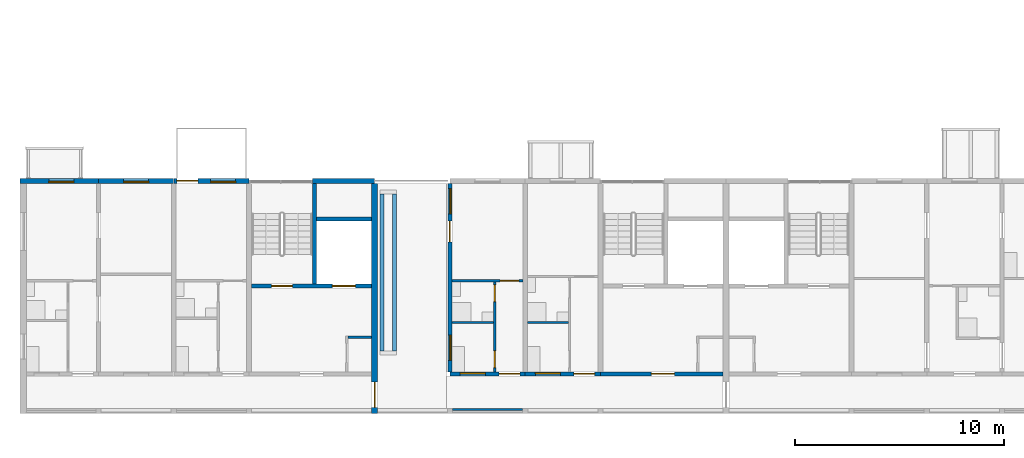
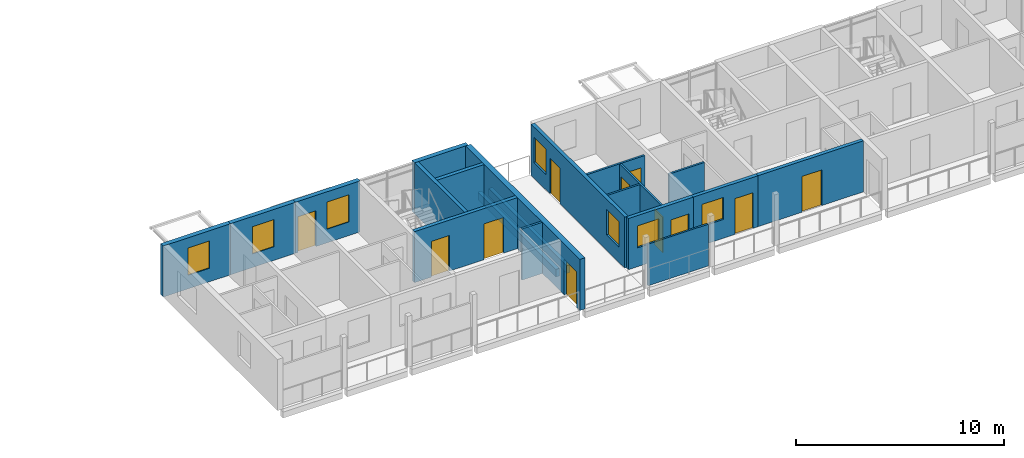
# One storey, part 32 of 78: 20 walls, 11 doors, 7 windows, 18 openings.
"""IFC4 building model written with IfcOpenShell, lengths in metres."""

from ifc_helpers import new_model, si_unit, direction, frame, frame_2d, origin, place, context, subcontext, project, spatial, rectangle, extrude, material, layer, layer_set, type_object, element, fill, save


model = new_model("IFC4")

# Units and contexts
model_context = context("Model", 3, precision=1e-05, world=origin(), true_north=direction((0.0, 1.0)))
body_context = subcontext(model_context, "Body", "Model", "MODEL_VIEW")
ifc_project = project(units=[si_unit("LENGTHUNIT", "METRE"), si_unit("AREAUNIT", "SQUARE_METRE"), si_unit("VOLUMEUNIT", "CUBIC_METRE"), si_unit("PLANEANGLEUNIT", "RADIAN"), si_unit("MASSUNIT", "GRAM", prefix="KILO")], contexts=[model_context])

# Site, building, storey
site_placement = place(None, origin())
site = spatial("IfcSite", under=ifc_project, at=site_placement, CompositionType="ELEMENT")
building_placement = place(site_placement, origin())
building = spatial("IfcBuilding", under=site, at=building_placement, Name="Ridgestep Commons", CompositionType="ELEMENT")
storey_placement = place(building_placement, frame((0.0, 0.0, 30.0)))
storey = spatial("IfcBuildingStorey", under=building, at=storey_placement, Name="L10", CompositionType="ELEMENT", Elevation=30.0)

# Wall, opening, door
ifc_material_1 = material(Name="Concrete C30/37", Category="concrete")
ifc_layer_1 = layer(ifc_material_1, 0.199951171875)
ifc_layer_set_1 = layer_set([ifc_layer_1], Name="Core south wall 200")
wall_type_1 = type_object("IfcWallType", Name="Core south wall 200", PredefinedType="SHEAR", material=ifc_layer_set_1)
wall_1_placement = place(storey_placement, frame((39.60009765625, 13.64990234375, 0.0), z_axis=(0.0, 0.0, 1.0), x_axis=(1.0, 0.0, 0.0)))
wall_1 = element("IfcWall", 1, at=wall_1_placement, inside=storey, type_object=wall_type_1, Name="Core south wall A2C L10", PredefinedType="SHEAR", context=body_context, shape_type="SweptSolid", body=[
    extrude(rectangle(XDim=5.849853515625, YDim=0.199951171875, at=frame_2d((2.9248046875, 0.0))), origin(), (0.0, 0.0, 1.0), 3.0),
])
opening_1_placement = place(wall_1_placement, frame((2.4375, 0.0, 0.0)))
opening_1 = element("IfcOpeningElement", 2, at=opening_1_placement, cuts=wall_1, Name="Opening A2C/10/1", PredefinedType="OPENING", context=body_context, shape_type="SweptSolid", body=[
    extrude(rectangle(XDim=1.10009765625, YDim=2.10009765625, at=frame_2d((0.550048828125, 1.050048828125))), frame((0.0, 0.10986328125, 0.0), z_axis=(0.0, -1.0, 0.0), x_axis=(1.0, 0.0, 0.0)), (0.0, 0.0, 1.0), 0.219970703125),
])
ifc_material_2 = material(Name="Steel fire door", Category="steel")
door_type_1 = type_object("IfcDoorType", Name="Lobby door 1100 x 2100 FD60", OperationType="NOTDEFINED", PredefinedType="DOOR", material=ifc_material_2)
door_1_placement = place(opening_1_placement, origin())
door_1 = element("IfcDoor", 3, at=door_1_placement, inside=storey, type_object=door_type_1, Name="Lobby door A2C/10/1", OperationType="SINGLE_SWING_LEFT", OverallHeight=2.10009765625, OverallWidth=1.10009765625, PredefinedType="DOOR", context=body_context, shape_type="SweptSolid", body=[
    extrude(rectangle(XDim=1.10009765625, YDim=2.10009765625, at=frame_2d((0.550048828125, 1.050048828125))), frame((0.0, 0.02490234375, 0.0), z_axis=(0.0, -1.0, 0.0), x_axis=(1.0, 0.0, 0.0)), (0.0, 0.0, 1.0), 0.050048828125),
])
fill(opening_1, door_1)

# Wall
ifc_material_3 = material(Name="Concrete C30/37", Category="concrete")
ifc_layer_2 = layer(ifc_material_3, 0.1201171875)
ifc_layer_set_2 = layer_set([ifc_layer_2], Name="Core wall 120")
wall_type_2 = type_object("IfcWallType", Name="Core wall 120", PredefinedType="SHEAR", material=ifc_layer_set_2)
wall_2_placement = place(storey_placement, frame((27.52001953125, 15.409912109375, 0.0), z_axis=(0.0, 0.0, 1.0), x_axis=(1.0, 0.0, 0.0)))
element("IfcWall", 4, at=wall_2_placement, inside=storey, type_object=wall_type_2, Name="Core riser n wall A1C L10", PredefinedType="SHEAR", context=body_context, shape_type="SweptSolid", body=[
    extrude(rectangle(XDim=1.1298828125, YDim=0.1201171875, at=frame_2d((0.56494140625, 0.0))), origin(), (0.0, 0.0, 1.0), 3.0),
])

# Wall, openings, doors
ifc_material_4 = material(Name="Concrete C30/37", Category="concrete")
ifc_layer_3 = layer(ifc_material_4, 0.199951171875)
ifc_layer_set_3 = layer_set([ifc_layer_3], Name="Core wall 200")
wall_type_3 = type_object("IfcWallType", Name="Core wall 200", PredefinedType="SHEAR", material=ifc_layer_set_3)
wall_3_placement = place(storey_placement, frame((22.925048828125, 17.85009765625, 0.0), z_axis=(0.0, 0.0, 1.0), x_axis=(1.0, 0.0, 0.0)))
wall_3 = element("IfcWall", 5, at=wall_3_placement, inside=storey, type_object=wall_type_3, Name="Core lobby wall A1C L10", PredefinedType="SHEAR", context=body_context, shape_type="SweptSolid", body=[
    extrude(rectangle(XDim=5.724853515625, YDim=0.199951171875, at=frame_2d((2.8623046875, 0.0))), origin(), (0.0, 0.0, 1.0), 3.0),
])
opening_2_placement = place(wall_3_placement, frame((0.949951171875, 0.0, 0.0)))
opening_2 = element("IfcOpeningElement", 6, at=opening_2_placement, cuts=wall_3, Name="Opening A1C/10/2", PredefinedType="OPENING", context=body_context, shape_type="SweptSolid", body=[
    extrude(rectangle(XDim=1.0, YDim=2.10009765625, at=frame_2d((0.5, 1.050048828125))), frame((0.0, 0.10986328125, 0.0), z_axis=(0.0, -1.0, 0.0), x_axis=(1.0, 0.0, 0.0)), (0.0, 0.0, 1.0), 0.219970703125),
])
opening_3_placement = place(wall_3_placement, frame((3.862548828125, 0.0, 0.0)))
opening_3 = element("IfcOpeningElement", 7, at=opening_3_placement, cuts=wall_3, Name="Opening A1C/10/3", PredefinedType="OPENING", context=body_context, shape_type="SweptSolid", body=[
    extrude(rectangle(XDim=1.10009765625, YDim=2.10009765625, at=frame_2d((0.550048828125, 1.050048828125))), frame((0.0, 0.10986328125, 0.0), z_axis=(0.0, -1.0, 0.0), x_axis=(1.0, 0.0, 0.0)), (0.0, 0.0, 1.0), 0.219970703125),
])
ifc_material_5 = material(Name="Stainless steel", Category="steel")
door_type_2 = type_object("IfcDoorType", Name="Lift landing door 1100 x 2100 FD60", OperationType="DOUBLE_DOOR_SLIDING", PredefinedType="DOOR", material=ifc_material_5)
door_2_placement = place(opening_3_placement, origin())
door_2 = element("IfcDoor", 8, at=door_2_placement, inside=storey, type_object=door_type_2, Name="Landing door LD A1C L10", OperationType="DOUBLE_DOOR_SLIDING", OverallHeight=2.10009765625, OverallWidth=1.10009765625, PredefinedType="DOOR", context=body_context, shape_type="SweptSolid", body=[
    extrude(rectangle(XDim=1.10009765625, YDim=2.10009765625, at=frame_2d((0.550048828125, 1.050048828125))), frame((0.0, 0.02490234375, 0.0), z_axis=(0.0, -1.0, 0.0), x_axis=(1.0, 0.0, 0.0)), (0.0, 0.0, 1.0), 0.050048828125),
])
fill(opening_3, door_2)
ifc_material_6 = material(Name="Steel fire door", Category="steel")
door_type_3 = type_object("IfcDoorType", Name="Stair door 1000 x 2100 FD60", OperationType="NOTDEFINED", PredefinedType="DOOR", material=ifc_material_6)
door_3_placement = place(opening_2_placement, origin())
door_3 = element("IfcDoor", 9, at=door_3_placement, inside=storey, type_object=door_type_3, Name="Stair door A1C/10/2", OperationType="SINGLE_SWING_RIGHT", OverallHeight=2.10009765625, OverallWidth=1.0, PredefinedType="DOOR", context=body_context, shape_type="SweptSolid", body=[
    extrude(rectangle(XDim=1.0, YDim=2.10009765625, at=frame_2d((0.5, 1.050048828125))), frame((0.0, 0.02490234375, 0.0), z_axis=(0.0, -1.0, 0.0), x_axis=(1.0, 0.0, 0.0)), (0.0, 0.0, 1.0), 0.050048828125),
])
fill(opening_2, door_3)

# Walls
wall_4_placement = place(storey_placement, frame((25.925048828125, 17.949951171875, 0.0), z_axis=(0.0, 0.0, 1.0), x_axis=(0.0, 1.0, 0.0)))
element("IfcWall", 10, at=wall_4_placement, inside=storey, type_object=wall_type_3, Name="Core stair wall A1C L10", PredefinedType="SHEAR", context=body_context, shape_type="SweptSolid", body=[
    extrude(rectangle(XDim=4.800048828125, YDim=0.199951171875, at=frame_2d((2.39990234375, 0.0))), origin(), (0.0, 0.0, 1.0), 3.0),
])
wall_5_placement = place(storey_placement, frame((26.02490234375, 21.050048828125, 0.0), z_axis=(0.0, 0.0, 1.0), x_axis=(1.0, 0.0, 0.0)))
element("IfcWall", 11, at=wall_5_placement, inside=storey, type_object=wall_type_3, Name="Core duct wall A1C L10", PredefinedType="SHEAR", context=body_context, shape_type="SweptSolid", body=[
    extrude(rectangle(XDim=2.625, YDim=0.199951171875, at=frame_2d((1.3125, 0.0))), origin(), (0.0, 0.0, 1.0), 3.0),
])

# Wall, openings, windows, door
ifc_material_7 = material(Name="Precast concrete C40/50", Category="concrete")
ifc_layer_4 = layer(ifc_material_7, 0.199951171875)
ifc_layer_set_4 = layer_set([ifc_layer_4], Name="Exposed cross wall 200")
wall_type_4 = type_object("IfcWallType", Name="Exposed cross wall 200", PredefinedType="SHEAR", material=ifc_layer_set_4)
wall_6_placement = place(storey_placement, frame((32.39990234375, 13.75, 0.0), z_axis=(0.0, 0.0, 1.0), x_axis=(0.0, 1.0, 0.0)))
wall_6 = element("IfcWall", 12, at=wall_6_placement, inside=storey, type_object=wall_type_4, Name="Cross wall A-10-0324", PredefinedType="SHEAR", context=body_context, shape_type="SweptSolid", body=[
    extrude(rectangle(XDim=9.0, YDim=0.199951171875, at=frame_2d((4.5, 0.0))), origin(), (0.0, 0.0, 1.0), 3.0),
])
opening_4_placement = place(wall_6_placement, frame((0.550048828125, 0.0, 0.89990234375)))
opening_4 = element("IfcOpeningElement", 13, at=opening_4_placement, cuts=wall_6, Name="Opening W10", PredefinedType="OPENING", context=body_context, shape_type="SweptSolid", body=[
    extrude(rectangle(XDim=1.199951171875, YDim=1.5, at=frame_2d((0.60009765625, 0.75))), frame((0.0, 0.10986328125, 0.0), z_axis=(0.0, -1.0, 0.0), x_axis=(1.0, 0.0, 0.0)), (0.0, 0.0, 1.0), 0.219970703125),
])
opening_5_placement = place(wall_6_placement, frame((7.552490234375, 0.0, 0.89990234375)))
opening_5 = element("IfcOpeningElement", 14, at=opening_5_placement, cuts=wall_6, Name="Opening W10", PredefinedType="OPENING", context=body_context, shape_type="SweptSolid", body=[
    extrude(rectangle(XDim=1.199951171875, YDim=1.5, at=frame_2d((0.60009765625, 0.75))), frame((0.0, 0.10986328125, 0.0), z_axis=(0.0, -1.0, 0.0), x_axis=(1.0, 0.0, 0.0)), (0.0, 0.0, 1.0), 0.219970703125),
])
opening_6_placement = place(wall_6_placement, frame((6.205078125, 0.0, 0.0)))
opening_6 = element("IfcOpeningElement", 15, at=opening_6_placement, cuts=wall_6, Name="Opening A2-10a/5", PredefinedType="OPENING", context=body_context, shape_type="SweptSolid", body=[
    extrude(rectangle(XDim=1.0, YDim=2.10009765625, at=frame_2d((0.5, 1.050048828125))), frame((0.0, 0.10986328125, 0.0), z_axis=(0.0, -1.0, 0.0), x_axis=(1.0, 0.0, 0.0)), (0.0, 0.0, 1.0), 0.219970703125),
])
ifc_material_8 = material(Name="Aluminium 6063-T6 and glass", Category="aluminium")
window_type_1 = type_object("IfcWindowType", Name="Flat window 1200 x 1500", PartitioningType="SINGLE_PANEL", PredefinedType="WINDOW", material=ifc_material_8)
window_1_placement = place(opening_4_placement, origin())
window_1 = element("IfcWindow", 16, at=window_1_placement, inside=storey, type_object=window_type_1, Name="Window A2-10a 3", OverallHeight=1.5, OverallWidth=1.199951171875, PartitioningType="SINGLE_PANEL", PredefinedType="WINDOW", context=body_context, shape_type="SweptSolid", body=[
    extrude(rectangle(XDim=1.199951171875, YDim=1.5, at=frame_2d((0.60009765625, 0.75))), frame((0.0, 0.0, 0.0), z_axis=(0.0, -1.0, 0.0), x_axis=(1.0, 0.0, 0.0)), (0.0, 0.0, 1.0), 0.06005859375),
])
fill(opening_4, window_1)
window_2_placement = place(opening_5_placement, origin())
window_2 = element("IfcWindow", 17, at=window_2_placement, inside=storey, type_object=window_type_1, Name="Window A2-10a 4", OverallHeight=1.5, OverallWidth=1.199951171875, PartitioningType="SINGLE_PANEL", PredefinedType="WINDOW", context=body_context, shape_type="SweptSolid", body=[
    extrude(rectangle(XDim=1.199951171875, YDim=1.5, at=frame_2d((0.60009765625, 0.75))), frame((0.0, 0.0, 0.0), z_axis=(0.0, -1.0, 0.0), x_axis=(1.0, 0.0, 0.0)), (0.0, 0.0, 1.0), 0.06005859375),
])
fill(opening_5, window_2)
ifc_material_9 = material(Name="Aluminium and glass", Category="aluminium")
door_type_4 = type_object("IfcDoorType", Name="Terrace door 1000 x 2100", OperationType="NOTDEFINED", PredefinedType="DOOR", material=ifc_material_9)
door_4_placement = place(opening_6_placement, origin())
door_4 = element("IfcDoor", 18, at=door_4_placement, inside=storey, type_object=door_type_4, Name="Terrace door A2-10a/5", OperationType="SINGLE_SWING_RIGHT", OverallHeight=2.10009765625, OverallWidth=1.0, PredefinedType="DOOR", context=body_context, shape_type="SweptSolid", body=[
    extrude(rectangle(XDim=1.0, YDim=2.10009765625, at=frame_2d((0.5, 1.050048828125))), frame((0.0, 0.02490234375, 0.0), z_axis=(0.0, -1.0, 0.0), x_axis=(1.0, 0.0, 0.0)), (0.0, 0.0, 1.0), 0.050048828125),
])
fill(opening_6, door_4)

# Wall, opening, door
ifc_material_10 = material(Name="Precast concrete C40/50", Category="concrete")
ifc_layer_5 = layer(ifc_material_10, 0.300048828125)
ifc_layer_set_5 = layer_set([ifc_layer_5], Name="Exposed division wall 300")
wall_type_5 = type_object("IfcWallType", Name="Exposed division wall 300", PredefinedType="SHEAR", material=ifc_layer_set_5)
wall_7_placement = place(storey_placement, frame((28.800048828125, 11.75, 0.0), z_axis=(0.0, 0.0, 1.0), x_axis=(0.0, 1.0, 0.0)))
wall_7 = element("IfcWall", 19, at=wall_7_placement, inside=storey, type_object=wall_type_5, Name="Cross wall A-10-0288", PredefinedType="SHEAR", context=body_context, shape_type="SweptSolid", body=[
    extrude(rectangle(XDim=11.0, YDim=0.300048828125, at=frame_2d((5.5, 0.0))), origin(), (0.0, 0.0, 1.0), 3.0),
])
opening_7_placement = place(wall_7_placement, frame((0.300048828125, 0.0, 0.0)))
opening_7 = element("IfcOpeningElement", 20, at=opening_7_placement, cuts=wall_7, Name="Opening A/10/G0288", PredefinedType="OPENING", context=body_context, shape_type="SweptSolid", body=[
    extrude(rectangle(XDim=1.199951171875, YDim=2.10009765625, at=frame_2d((0.60009765625, 1.050048828125))), frame((0.0, 0.159912109375, 0.0), z_axis=(0.0, -1.0, 0.0), x_axis=(1.0, 0.0, 0.0)), (0.0, 0.0, 1.0), 0.320068359375),
])
ifc_material_11 = material(Name="Steel fire door", Category="steel")
door_type_5 = type_object("IfcDoorType", Name="Division fire door 1200 x 2100 EI 240", OperationType="DOUBLE_DOOR_SINGLE_SWING", PredefinedType="DOOR", material=ifc_material_11)
door_5_placement = place(opening_7_placement, origin())
door_5 = element("IfcDoor", 21, at=door_5_placement, inside=storey, type_object=door_type_5, Name="Division fire door A/10/G0288", OperationType="DOUBLE_DOOR_SINGLE_SWING", OverallHeight=2.10009765625, OverallWidth=1.199951171875, PredefinedType="DOOR", context=body_context, shape_type="SweptSolid", body=[
    extrude(rectangle(XDim=1.199951171875, YDim=2.10009765625, at=frame_2d((0.60009765625, 1.050048828125))), frame((0.0, 0.02490234375, 0.0), z_axis=(0.0, -1.0, 0.0), x_axis=(1.0, 0.0, 0.0)), (0.0, 0.0, 1.0), 0.050048828125),
])
fill(opening_7, door_5)

# Wall, opening, window
ifc_material_12 = material(Name="Precast concrete C40/50", Category="concrete")
ifc_layer_6 = layer(ifc_material_12, 0.25)
ifc_layer_set_6 = layer_set([ifc_layer_6], Name="North facade panel 250")
wall_type_6 = type_object("IfcWallType", Name="North facade panel 250", PredefinedType="SOLIDWALL", material=ifc_layer_set_6)
wall_8_placement = place(storey_placement, frame((11.85009765625, 22.875, 0.0), z_axis=(0.0, 0.0, 1.0), x_axis=(1.0, 0.0, 0.0)))
wall_8 = element("IfcWall", 22, at=wall_8_placement, inside=storey, type_object=wall_type_6, Name="North panel A1T1 L10", PredefinedType="SOLIDWALL", context=body_context, shape_type="SweptSolid", body=[
    extrude(rectangle(XDim=3.75, YDim=0.25, at=frame_2d((1.875, 0.0))), origin(), (0.0, 0.0, 1.0), 3.0),
])
opening_8_placement = place(wall_8_placement, frame((1.375, 0.0, 0.800048828125)))
opening_8 = element("IfcOpeningElement", 23, at=opening_8_placement, cuts=wall_8, Name="Opening W11", PredefinedType="OPENING", context=body_context, shape_type="SweptSolid", body=[
    extrude(rectangle(XDim=1.199951171875, YDim=1.60009765625, at=frame_2d((0.60009765625, 0.800048828125))), frame((0.0, 0.135009765625, 0.0), z_axis=(0.0, -1.0, 0.0), x_axis=(1.0, 0.0, 0.0)), (0.0, 0.0, 1.0), 0.27001953125),
])
ifc_material_13 = material(Name="Aluminium 6063-T6 and glass", Category="aluminium")
window_type_2 = type_object("IfcWindowType", Name="Flat window 1200 x 1600", PartitioningType="SINGLE_PANEL", PredefinedType="WINDOW", material=ifc_material_13)
window_3_placement = place(opening_8_placement, origin())
window_3 = element("IfcWindow", 24, at=window_3_placement, inside=storey, type_object=window_type_2, Name="Window A1-10a 4", OverallHeight=1.60009765625, OverallWidth=1.199951171875, PartitioningType="SINGLE_PANEL", PredefinedType="WINDOW", context=body_context, shape_type="SweptSolid", body=[
    extrude(rectangle(XDim=1.199951171875, YDim=1.60009765625, at=frame_2d((0.60009765625, 0.800048828125))), frame((0.0, -0.02490234375, 0.0), z_axis=(0.0, -1.0, 0.0), x_axis=(1.0, 0.0, 0.0)), (0.0, 0.0, 1.0), 0.06005859375),
])
fill(opening_8, window_3)

wall_9_placement = place(storey_placement, frame((15.60009765625, 22.875, 0.0), z_axis=(0.0, 0.0, 1.0), x_axis=(1.0, 0.0, 0.0)))
wall_9 = element("IfcWall", 25, at=wall_9_placement, inside=storey, type_object=wall_type_6, Name="North panel A1T2 L10", PredefinedType="SOLIDWALL", context=body_context, shape_type="SweptSolid", body=[
    extrude(rectangle(XDim=3.599853515625, YDim=0.25, at=frame_2d((1.7998046875, 0.0))), origin(), (0.0, 0.0, 1.0), 3.0),
])
opening_9_placement = place(wall_9_placement, frame((1.199951171875, 0.0, 0.800048828125)))
opening_9 = element("IfcOpeningElement", 26, at=opening_9_placement, cuts=wall_9, Name="Opening W11", PredefinedType="OPENING", context=body_context, shape_type="SweptSolid", body=[
    extrude(rectangle(XDim=1.199951171875, YDim=1.60009765625, at=frame_2d((0.60009765625, 0.800048828125))), frame((0.0, 0.135009765625, 0.0), z_axis=(0.0, -1.0, 0.0), x_axis=(1.0, 0.0, 0.0)), (0.0, 0.0, 1.0), 0.27001953125),
])
window_4_placement = place(opening_9_placement, origin())
window_4 = element("IfcWindow", 27, at=window_4_placement, inside=storey, type_object=window_type_2, Name="Window A1-10a 2", OverallHeight=1.60009765625, OverallWidth=1.199951171875, PartitioningType="SINGLE_PANEL", PredefinedType="WINDOW", context=body_context, shape_type="SweptSolid", body=[
    extrude(rectangle(XDim=1.199951171875, YDim=1.60009765625, at=frame_2d((0.60009765625, 0.800048828125))), frame((0.0, -0.02490234375, 0.0), z_axis=(0.0, -1.0, 0.0), x_axis=(1.0, 0.0, 0.0)), (0.0, 0.0, 1.0), 0.06005859375),
])
fill(opening_9, window_4)

# Wall, openings, door, window
wall_10_placement = place(storey_placement, frame((19.199951171875, 22.875, 0.0), z_axis=(0.0, 0.0, 1.0), x_axis=(1.0, 0.0, 0.0)))
wall_10 = element("IfcWall", 28, at=wall_10_placement, inside=storey, type_object=wall_type_6, Name="North panel A1T3 L10", PredefinedType="SOLIDWALL", context=body_context, shape_type="SweptSolid", body=[
    extrude(rectangle(XDim=3.60009765625, YDim=0.25, at=frame_2d((1.800048828125, 0.0))), origin(), (0.0, 0.0, 1.0), 3.0),
])
opening_10_placement = place(wall_10_placement, frame((1.762451171875, 0.0, 0.800048828125)))
opening_10 = element("IfcOpeningElement", 29, at=opening_10_placement, cuts=wall_10, Name="Opening W11", PredefinedType="OPENING", context=body_context, shape_type="SweptSolid", body=[
    extrude(rectangle(XDim=1.199951171875, YDim=1.60009765625, at=frame_2d((0.60009765625, 0.800048828125))), frame((0.0, 0.135009765625, 0.0), z_axis=(0.0, -1.0, 0.0), x_axis=(1.0, 0.0, 0.0)), (0.0, 0.0, 1.0), 0.27001953125),
])
opening_11_placement = place(wall_10_placement, frame((0.14990234375, 0.0, 0.0)))
opening_11 = element("IfcOpeningElement", 30, at=opening_11_placement, cuts=wall_10, Name="Opening A1-10b/5", PredefinedType="OPENING", context=body_context, shape_type="SweptSolid", body=[
    extrude(rectangle(XDim=1.0, YDim=2.10009765625, at=frame_2d((0.5, 1.050048828125))), frame((0.0, 0.135009765625, 0.0), z_axis=(0.0, -1.0, 0.0), x_axis=(1.0, 0.0, 0.0)), (0.0, 0.0, 1.0), 0.27001953125),
])
ifc_material_14 = material(Name="Aluminium and glass", Category="aluminium")
door_type_6 = type_object("IfcDoorType", Name="Balcony door 1000 x 2100", OperationType="NOTDEFINED", PredefinedType="DOOR", material=ifc_material_14)
door_6_placement = place(opening_11_placement, origin())
door_6 = element("IfcDoor", 31, at=door_6_placement, inside=storey, type_object=door_type_6, Name="Balcony door A1-10b/5", OperationType="SINGLE_SWING_RIGHT", OverallHeight=2.10009765625, OverallWidth=1.0, PredefinedType="DOOR", context=body_context, shape_type="SweptSolid", body=[
    extrude(rectangle(XDim=1.0, YDim=2.10009765625, at=frame_2d((0.5, 1.050048828125))), frame((0.0, 0.02490234375, 0.0), z_axis=(0.0, -1.0, 0.0), x_axis=(1.0, 0.0, 0.0)), (0.0, 0.0, 1.0), 0.050048828125),
])
fill(opening_11, door_6)
window_5_placement = place(opening_10_placement, origin())
window_5 = element("IfcWindow", 32, at=window_5_placement, inside=storey, type_object=window_type_2, Name="Window A1-10b 2", OverallHeight=1.60009765625, OverallWidth=1.199951171875, PartitioningType="SINGLE_PANEL", PredefinedType="WINDOW", context=body_context, shape_type="SweptSolid", body=[
    extrude(rectangle(XDim=1.199951171875, YDim=1.60009765625, at=frame_2d((0.60009765625, 0.800048828125))), frame((0.0, -0.02490234375, 0.0), z_axis=(0.0, -1.0, 0.0), x_axis=(1.0, 0.0, 0.0)), (0.0, 0.0, 1.0), 0.06005859375),
])
fill(opening_10, window_5)

# Walls
wall_11_placement = place(storey_placement, frame((25.824951171875, 22.875, 0.0), z_axis=(0.0, 0.0, 1.0), x_axis=(1.0, 0.0, 0.0)))
element("IfcWall", 33, at=wall_11_placement, inside=storey, type_object=wall_type_6, Name="North panel A1C L10", PredefinedType="SOLIDWALL", context=body_context, shape_type="SweptSolid", body=[
    extrude(rectangle(XDim=2.97509765625, YDim=0.25, at=frame_2d((1.487548828125, 0.0))), origin(), (0.0, 0.0, 1.0), 3.0),
])
ifc_material_15 = material(Name="Common brick 110 mm", Category="masonry")
ifc_layer_7 = layer(ifc_material_15, 0.110107421875)
ifc_layer_set_7 = layer_set([ifc_layer_7], Name="Partition 110")
wall_type_7 = type_object("IfcWallType", Name="Partition 110", PredefinedType="PARTITIONING", material=ifc_layer_set_7)
wall_12_placement = place(storey_placement, frame((32.5, 16.10498046875, 0.0), z_axis=(0.0, 0.0, 1.0), x_axis=(1.0, 0.0, 0.0)))
element("IfcWall", 34, at=wall_12_placement, inside=storey, type_object=wall_type_7, Name="Partition A2-10a", PredefinedType="PARTITIONING", context=body_context, shape_type="SweptSolid", body=[
    extrude(rectangle(XDim=1.989990234375, YDim=0.110107421875, at=frame_2d((0.9951171875, 0.0))), origin(), (0.0, 0.0, 1.0), 2.75),
])

# Wall, openings, doors
wall_13_placement = place(storey_placement, frame((34.544921875, 13.75, 0.0), z_axis=(0.0, 0.0, 1.0), x_axis=(0.0, 1.0, 0.0)))
wall_13 = element("IfcWall", 35, at=wall_13_placement, inside=storey, type_object=wall_type_7, Name="Partition A2-10a", PredefinedType="PARTITIONING", context=body_context, shape_type="SweptSolid", body=[
    extrude(rectangle(XDim=4.300048828125, YDim=0.110107421875, at=frame_2d((2.14990234375, 0.0))), origin(), (0.0, 0.0, 1.0), 2.75),
])
opening_12_placement = place(wall_13_placement, frame((0.199951171875, 0.0, 0.0)))
opening_12 = element("IfcOpeningElement", 36, at=opening_12_placement, cuts=wall_13, Name="Opening A2-10a/2", PredefinedType="OPENING", context=body_context, shape_type="SweptSolid", body=[
    extrude(rectangle(XDim=0.800048828125, YDim=2.10009765625, at=frame_2d((0.39990234375, 1.050048828125))), frame((0.0, 0.06494140625, 0.0), z_axis=(0.0, -1.0, 0.0), x_axis=(1.0, 0.0, 0.0)), (0.0, 0.0, 1.0), 0.130126953125),
])
opening_13_placement = place(wall_13_placement, frame((3.35009765625, 0.0, 0.0)))
opening_13 = element("IfcOpeningElement", 37, at=opening_13_placement, cuts=wall_13, Name="Opening A2-10a/3", PredefinedType="OPENING", context=body_context, shape_type="SweptSolid", body=[
    extrude(rectangle(XDim=0.800048828125, YDim=2.10009765625, at=frame_2d((0.39990234375, 1.050048828125))), frame((0.0, 0.06494140625, 0.0), z_axis=(0.0, -1.0, 0.0), x_axis=(1.0, 0.0, 0.0)), (0.0, 0.0, 1.0), 0.130126953125),
])
ifc_material_16 = material(Name="Timber door leaf", Category="wood")
door_type_7 = type_object("IfcDoorType", Name="Internal door 800 x 2100", OperationType="NOTDEFINED", PredefinedType="DOOR", material=ifc_material_16)
door_7_placement = place(opening_12_placement, origin())
door_7 = element("IfcDoor", 38, at=door_7_placement, inside=storey, type_object=door_type_7, Name="Internal door A2-10a/2", OperationType="SINGLE_SWING_LEFT", OverallHeight=2.10009765625, OverallWidth=0.800048828125, PredefinedType="DOOR", context=body_context, shape_type="SweptSolid", body=[
    extrude(rectangle(XDim=0.800048828125, YDim=2.10009765625, at=frame_2d((0.39990234375, 1.050048828125))), frame((0.0, 0.02490234375, 0.0), z_axis=(0.0, -1.0, 0.0), x_axis=(1.0, 0.0, 0.0)), (0.0, 0.0, 1.0), 0.050048828125),
])
fill(opening_12, door_7)
door_8_placement = place(opening_13_placement, origin())
door_8 = element("IfcDoor", 39, at=door_8_placement, inside=storey, type_object=door_type_7, Name="Internal door A2-10a/3", OperationType="SINGLE_SWING_RIGHT", OverallHeight=2.10009765625, OverallWidth=0.800048828125, PredefinedType="DOOR", context=body_context, shape_type="SweptSolid", body=[
    extrude(rectangle(XDim=0.800048828125, YDim=2.10009765625, at=frame_2d((0.39990234375, 1.050048828125))), frame((0.0, 0.02490234375, 0.0), z_axis=(0.0, -1.0, 0.0), x_axis=(1.0, 0.0, 0.0)), (0.0, 0.0, 1.0), 0.050048828125),
])
fill(opening_13, door_8)

# Wall, opening, door
wall_14_placement = place(storey_placement, frame((32.5, 18.10498046875, 0.0), z_axis=(0.0, 0.0, 1.0), x_axis=(1.0, 0.0, 0.0)))
wall_14 = element("IfcWall", 40, at=wall_14_placement, inside=storey, type_object=wall_type_7, Name="Partition A2-10a", PredefinedType="PARTITIONING", context=body_context, shape_type="SweptSolid", body=[
    extrude(rectangle(XDim=3.39990234375, YDim=0.110107421875, at=frame_2d((1.699951171875, 0.0))), origin(), (0.0, 0.0, 1.0), 2.75),
])
opening_14_placement = place(wall_14_placement, frame((2.300048828125, 0.0, 0.0)))
opening_14 = element("IfcOpeningElement", 41, at=opening_14_placement, cuts=wall_14, Name="Opening A2-10a/4", PredefinedType="OPENING", context=body_context, shape_type="SweptSolid", body=[
    extrude(rectangle(XDim=0.89990234375, YDim=2.10009765625, at=frame_2d((0.449951171875, 1.050048828125))), frame((0.0, 0.06494140625, 0.0), z_axis=(0.0, -1.0, 0.0), x_axis=(1.0, 0.0, 0.0)), (0.0, 0.0, 1.0), 0.130126953125),
])
ifc_material_17 = material(Name="Timber door leaf", Category="wood")
door_type_8 = type_object("IfcDoorType", Name="Internal door 900 x 2100", OperationType="NOTDEFINED", PredefinedType="DOOR", material=ifc_material_17)
door_9_placement = place(opening_14_placement, origin())
door_9 = element("IfcDoor", 42, at=door_9_placement, inside=storey, type_object=door_type_8, Name="Internal door A2-10a/4", OperationType="SINGLE_SWING_LEFT", OverallHeight=2.10009765625, OverallWidth=0.89990234375, PredefinedType="DOOR", context=body_context, shape_type="SweptSolid", body=[
    extrude(rectangle(XDim=0.89990234375, YDim=2.10009765625, at=frame_2d((0.449951171875, 1.050048828125))), frame((0.0, 0.02490234375, 0.0), z_axis=(0.0, -1.0, 0.0), x_axis=(1.0, 0.0, 0.0)), (0.0, 0.0, 1.0), 0.050048828125),
])
fill(opening_14, door_9)

# Walls
wall_15_placement = place(storey_placement, frame((36.10009765625, 16.10498046875, 0.0), z_axis=(0.0, 0.0, 1.0), x_axis=(1.0, 0.0, 0.0)))
element("IfcWall", 43, at=wall_15_placement, inside=storey, type_object=wall_type_7, Name="Partition A2-10b", PredefinedType="PARTITIONING", context=body_context, shape_type="SweptSolid", body=[
    extrude(rectangle(XDim=1.96484375, YDim=0.110107421875, at=frame_2d((0.982421875, 0.0))), origin(), (0.0, 0.0, 1.0), 2.800048828125),
])
ifc_material_18 = material(Name="Precast concrete C30/37", Category="concrete")
ifc_layer_8 = layer(ifc_material_18, 0.10009765625)
ifc_layer_set_8 = layer_set([ifc_layer_8], Name="Perforated gallery screen 3350 x 2450 x 100")
wall_type_8 = type_object("IfcWallType", Name="Perforated gallery screen 3350 x 2450 x 100", PredefinedType="SOLIDWALL", material=ifc_layer_set_8)
wall_16_placement = place(storey_placement, frame((32.52490234375, 11.949951171875, 0.0), z_axis=(0.0, 0.0, 1.0), x_axis=(1.0, 0.0, 0.0)))
element("IfcWall", 44, at=wall_16_placement, inside=storey, type_object=wall_type_8, Name="Gallery screen A2T2 10", PredefinedType="SOLIDWALL", context=body_context, shape_type="SweptSolid", body=[
    extrude(rectangle(XDim=3.35009765625, YDim=0.10009765625, at=frame_2d((1.675048828125, 0.0))), origin(), (0.0, 0.0, 1.0), 2.449951171875),
])
ifc_material_19 = material(Name="Facing brick", Category="masonry")
ifc_layer_9 = layer(ifc_material_19, 0.199951171875)
ifc_layer_set_9 = layer_set([ifc_layer_9], Name="Planter wall 200")
wall_type_9 = type_object("IfcWallType", Name="Planter wall 200", PredefinedType="SOLIDWALL", material=ifc_layer_set_9)
for number, where, z_axis, x_axis, name in (
    (45, (29.14990234375, 14.75, 0.010009765625), (0.0, 0.0, 1.0), (0.0, 1.0, 0.0), "Planter wall A2R1W"),
    (46, (29.75, 14.75, 0.010009765625), (0.0, 0.0, 1.0), (0.0, 1.0, 0.0), "Planter wall A2R1E"),
):
    element("IfcWall", number, at=place(storey_placement, frame(where, z_axis=z_axis, x_axis=x_axis)), inside=storey, type_object=wall_type_9, Name=name, PredefinedType="SOLIDWALL", context=body_context, shape_type="SweptSolid", body=[
        extrude(rectangle(XDim=7.5, YDim=0.199951171875, at=frame_2d((3.75, 0.0))), origin(), (0.0, 0.0, 1.0), 0.449951171875),
    ])

# Wall, openings, door, window
ifc_material_20 = material(Name="Precast concrete C40/50", Category="concrete")
ifc_layer_10 = layer(ifc_material_20, 0.199951171875)
ifc_layer_set_10 = layer_set([ifc_layer_10], Name="South facade panel 200")
wall_type_10 = type_object("IfcWallType", Name="South facade panel 200", PredefinedType="SOLIDWALL", material=ifc_layer_set_10)
wall_17_placement = place(storey_placement, frame((32.39990234375, 13.64990234375, 0.0), z_axis=(0.0, 0.0, 1.0), x_axis=(1.0, 0.0, 0.0)))
wall_17 = element("IfcWall", 47, at=wall_17_placement, inside=storey, type_object=wall_type_10, Name="South panel A2T2 L10", PredefinedType="SOLIDWALL", context=body_context, shape_type="SweptSolid", body=[
    extrude(rectangle(XDim=3.60009765625, YDim=0.199951171875, at=frame_2d((1.800048828125, 0.0))), origin(), (0.0, 0.0, 1.0), 3.0),
])
opening_15_placement = place(wall_17_placement, frame((0.4951171875, 0.0, 1.10009765625)))
opening_15 = element("IfcOpeningElement", 48, at=opening_15_placement, cuts=wall_17, Name="Opening W08", PredefinedType="OPENING", context=body_context, shape_type="SweptSolid", body=[
    extrude(rectangle(XDim=1.199951171875, YDim=1.300048828125, at=frame_2d((0.60009765625, 0.64990234375))), frame((0.0, 0.10986328125, 0.0), z_axis=(0.0, -1.0, 0.0), x_axis=(1.0, 0.0, 0.0)), (0.0, 0.0, 1.0), 0.219970703125),
])
opening_16_placement = place(wall_17_placement, frame((2.35009765625, 0.0, 0.0)))
opening_16 = element("IfcOpeningElement", 49, at=opening_16_placement, cuts=wall_17, Name="Opening A2-10a/1", PredefinedType="OPENING", context=body_context, shape_type="SweptSolid", body=[
    extrude(rectangle(XDim=1.0, YDim=2.10009765625, at=frame_2d((0.5, 1.050048828125))), frame((0.0, 0.10986328125, 0.0), z_axis=(0.0, -1.0, 0.0), x_axis=(1.0, 0.0, 0.0)), (0.0, 0.0, 1.0), 0.219970703125),
])
ifc_material_21 = material(Name="Timber door leaf", Category="wood")
door_type_9 = type_object("IfcDoorType", Name="Flat entrance door 1000 x 2100 FD30S", OperationType="NOTDEFINED", PredefinedType="DOOR", material=ifc_material_21)
door_10_placement = place(opening_16_placement, origin())
door_10 = element("IfcDoor", 50, at=door_10_placement, inside=storey, type_object=door_type_9, Name="Flat entrance door A2-10a/1", OperationType="SINGLE_SWING_RIGHT", OverallHeight=2.10009765625, OverallWidth=1.0, PredefinedType="DOOR", context=body_context, shape_type="SweptSolid", body=[
    extrude(rectangle(XDim=1.0, YDim=2.10009765625, at=frame_2d((0.5, 1.050048828125))), frame((0.0, 0.02490234375, 0.0), z_axis=(0.0, -1.0, 0.0), x_axis=(1.0, 0.0, 0.0)), (0.0, 0.0, 1.0), 0.050048828125),
])
fill(opening_16, door_10)
ifc_material_22 = material(Name="Aluminium 6063-T6 and glass", Category="aluminium")
window_type_3 = type_object("IfcWindowType", Name="Flat window 1200 x 1300", PartitioningType="SINGLE_PANEL", PredefinedType="WINDOW", material=ifc_material_22)
window_6_placement = place(opening_15_placement, origin())
window_6 = element("IfcWindow", 51, at=window_6_placement, inside=storey, type_object=window_type_3, Name="Window A2-10a 1", OverallHeight=1.300048828125, OverallWidth=1.199951171875, PartitioningType="SINGLE_PANEL", PredefinedType="WINDOW", context=body_context, shape_type="SweptSolid", body=[
    extrude(rectangle(XDim=1.199951171875, YDim=1.300048828125, at=frame_2d((0.60009765625, 0.64990234375))), frame((0.0, 0.06005859375, 0.0), z_axis=(0.0, -1.0, 0.0), x_axis=(1.0, 0.0, 0.0)), (0.0, 0.0, 1.0), 0.06005859375),
])
fill(opening_15, window_6)

wall_18_placement = place(storey_placement, frame((36.0, 13.64990234375, 0.0), z_axis=(0.0, 0.0, 1.0), x_axis=(1.0, 0.0, 0.0)))
wall_18 = element("IfcWall", 52, at=wall_18_placement, inside=storey, type_object=wall_type_10, Name="South panel A2T3 L10", PredefinedType="SOLIDWALL", context=body_context, shape_type="SweptSolid", body=[
    extrude(rectangle(XDim=3.60009765625, YDim=0.199951171875, at=frame_2d((1.800048828125, 0.0))), origin(), (0.0, 0.0, 1.0), 3.0),
])
opening_17_placement = place(wall_18_placement, frame((0.482421875, 0.0, 1.10009765625)))
opening_17 = element("IfcOpeningElement", 53, at=opening_17_placement, cuts=wall_18, Name="Opening W08", PredefinedType="OPENING", context=body_context, shape_type="SweptSolid", body=[
    extrude(rectangle(XDim=1.199951171875, YDim=1.300048828125, at=frame_2d((0.60009765625, 0.64990234375))), frame((0.0, 0.10986328125, 0.0), z_axis=(0.0, -1.0, 0.0), x_axis=(1.0, 0.0, 0.0)), (0.0, 0.0, 1.0), 0.219970703125),
])
opening_18_placement = place(wall_18_placement, frame((2.324951171875, 0.0, 0.0)))
opening_18 = element("IfcOpeningElement", 54, at=opening_18_placement, cuts=wall_18, Name="Opening A2-10b/1", PredefinedType="OPENING", context=body_context, shape_type="SweptSolid", body=[
    extrude(rectangle(XDim=1.0, YDim=2.10009765625, at=frame_2d((0.5, 1.050048828125))), frame((0.0, 0.10986328125, 0.0), z_axis=(0.0, -1.0, 0.0), x_axis=(1.0, 0.0, 0.0)), (0.0, 0.0, 1.0), 0.219970703125),
])
door_11_placement = place(opening_18_placement, origin())
door_11 = element("IfcDoor", 55, at=door_11_placement, inside=storey, type_object=door_type_9, Name="Flat entrance door A2-10b/1", OperationType="SINGLE_SWING_RIGHT", OverallHeight=2.10009765625, OverallWidth=1.0, PredefinedType="DOOR", context=body_context, shape_type="SweptSolid", body=[
    extrude(rectangle(XDim=1.0, YDim=2.10009765625, at=frame_2d((0.5, 1.050048828125))), frame((0.0, 0.02490234375, 0.0), z_axis=(0.0, -1.0, 0.0), x_axis=(1.0, 0.0, 0.0)), (0.0, 0.0, 1.0), 0.050048828125),
])
fill(opening_18, door_11)
window_7_placement = place(opening_17_placement, origin())
window_7 = element("IfcWindow", 56, at=window_7_placement, inside=storey, type_object=window_type_3, Name="Window A2-10b 1", OverallHeight=1.300048828125, OverallWidth=1.199951171875, PartitioningType="SINGLE_PANEL", PredefinedType="WINDOW", context=body_context, shape_type="SweptSolid", body=[
    extrude(rectangle(XDim=1.199951171875, YDim=1.300048828125, at=frame_2d((0.60009765625, 0.64990234375))), frame((0.0, 0.06005859375, 0.0), z_axis=(0.0, -1.0, 0.0), x_axis=(1.0, 0.0, 0.0)), (0.0, 0.0, 1.0), 0.06005859375),
])
fill(opening_17, window_7)

save(model, "model.ifc")
